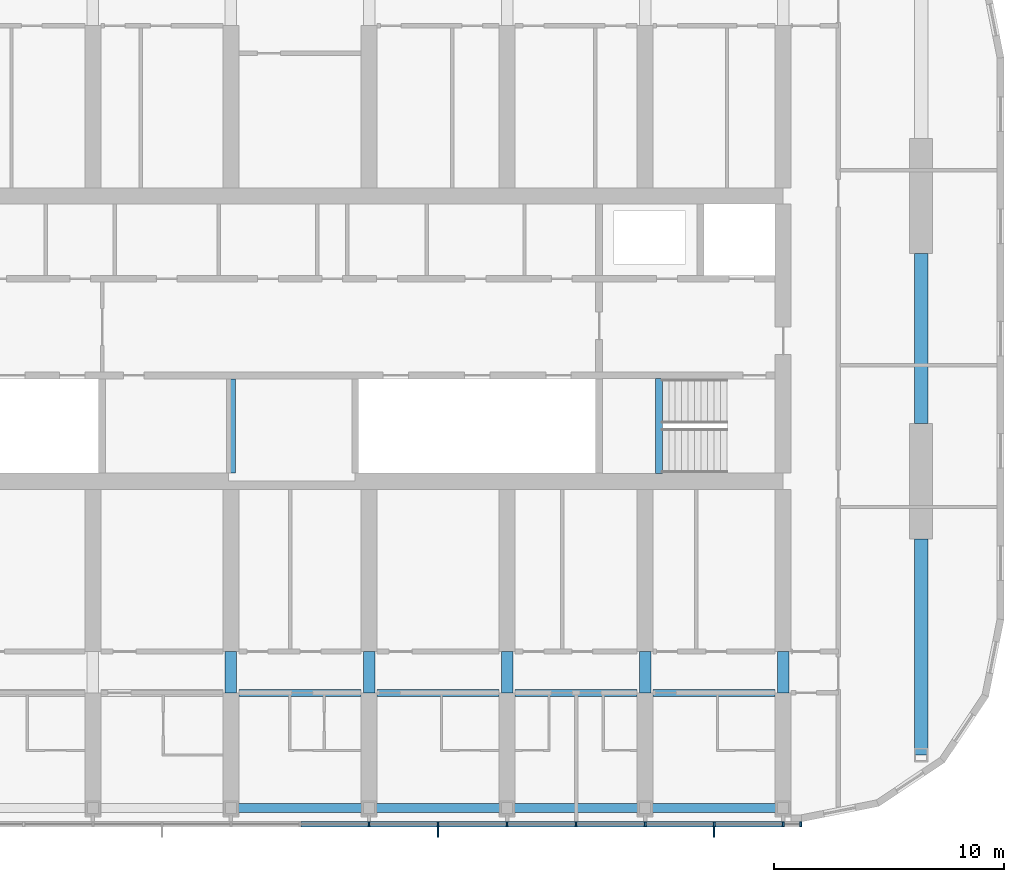
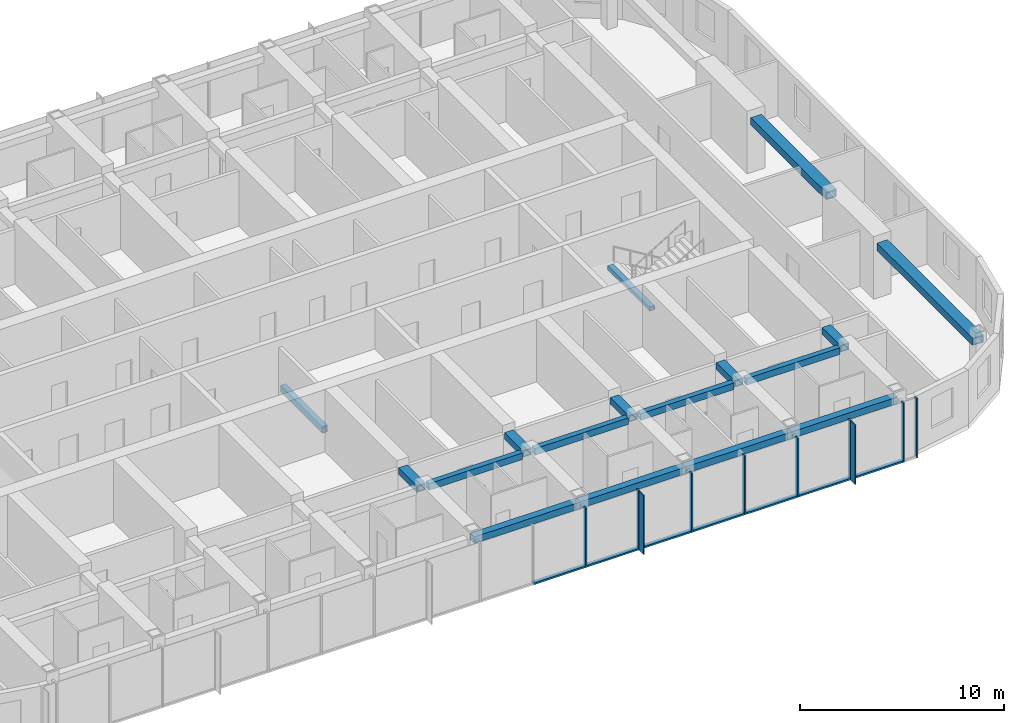
# One storey, part 3 of 23: 17 beams, 17 members, 1 element without a shape of its own.
"""IFC4 building model written with IfcOpenShell, lengths in metres."""

from ifc_helpers import new_model, si_unit, direction, frame, origin, origin_2d, place, context, subcontext, project, spatial, rectangle, hollow_rectangle, extrude, material, material_profile, profile_set, type_object, element, aggregate, save


model = new_model("IFC4")

# Units and contexts
model_context = context("Model", 3, precision=1e-05, world=origin(), true_north=direction((0.0, 1.0)))
body_context = subcontext(model_context, "Body", "Model", "MODEL_VIEW")
ifc_project = project(units=[si_unit("LENGTHUNIT", "METRE"), si_unit("AREAUNIT", "SQUARE_METRE"), si_unit("VOLUMEUNIT", "CUBIC_METRE"), si_unit("PLANEANGLEUNIT", "RADIAN"), si_unit("MASSUNIT", "GRAM", prefix="KILO")], contexts=[model_context])

# Site, building, storey
site_placement = place(None, origin())
site = spatial("IfcSite", under=ifc_project, at=site_placement, CompositionType="ELEMENT")
building_placement = place(site_placement, origin())
building = spatial("IfcBuilding", under=site, at=building_placement, Name="Orbita Commons", CompositionType="ELEMENT")
storey_placement = place(building_placement, frame((0.0, 0.0, 212.800048828125)))
storey = spatial("IfcBuildingStorey", under=building, at=storey_placement, Name="L52", CompositionType="ELEMENT", Elevation=212.800048828125)

# Curtain wall, members
ifc_material_1 = material(Name="Anodised aluminium frame, pale silver", Category="aluminium")
curtain_wall_type = type_object("IfcCurtainWallType", Name="Unitised curtain wall CW-U, full-height vision", PredefinedType="NOTDEFINED", material=ifc_material_1)
curtain_wall_placement = place(storey_placement, origin())
curtain_wall = element("IfcCurtainWall", 1, at=curtain_wall_placement, inside=storey, type_object=curtain_wall_type, Name="Curtain wall south L52", PredefinedType="NOTDEFINED")
ifc_material_2 = material(Name="Anodised aluminium, pale silver", Category="aluminium")
ifc_material_profile_1 = material_profile(ifc_material_2, rectangle(XDim=0.080078125, YDim=0.219970703125, at=origin_2d()), Name="AL 80x220")
ifc_profile_set_1 = profile_set([ifc_material_profile_1], Name="Anodised aluminium, pale silver")
member_type_1 = type_object("IfcMemberType", Name="Curtain wall mullion 80x220", PredefinedType="MULLION", material=ifc_profile_set_1)
member_1_placement = place(storey_placement, frame((48.0, 10.889892578125, -0.25), z_axis=(0.0, 0.0, 1.0), x_axis=(1.0, 0.0, 0.0)))
member_1 = element("IfcMember", 2, at=member_1_placement, type_object=member_type_1, Name="Mullion 12 CW-L52-S", PredefinedType="MULLION", context=body_context, shape_type="SweptSolid", body=[
    extrude(rectangle(XDim=0.080078125, YDim=0.219970703125, at=origin_2d()), origin(), (0.0, 0.0, 1.0), 3.550048828125),
])
member_2_placement = place(storey_placement, frame((51.0, 10.889892578125, -0.25), z_axis=(0.0, 0.0, 1.0), x_axis=(1.0, 0.0, 0.0)))
member_2 = element("IfcMember", 3, at=member_2_placement, type_object=member_type_1, Name="Mullion 13 CW-L52-S", PredefinedType="MULLION", context=body_context, shape_type="SweptSolid", body=[
    extrude(rectangle(XDim=0.080078125, YDim=0.219970703125, at=origin_2d()), origin(), (0.0, 0.0, 1.0), 3.550048828125),
])
member_3_placement = place(storey_placement, frame((54.0, 10.889892578125, -0.25), z_axis=(0.0, 0.0, 1.0), x_axis=(1.0, 0.0, 0.0)))
member_3 = element("IfcMember", 4, at=member_3_placement, type_object=member_type_1, Name="Mullion 14 CW-L52-S", PredefinedType="MULLION", context=body_context, shape_type="SweptSolid", body=[
    extrude(rectangle(XDim=0.080078125, YDim=0.219970703125, at=origin_2d()), origin(), (0.0, 0.0, 1.0), 3.550048828125),
])
member_4_placement = place(storey_placement, frame((57.0, 10.889892578125, -0.25), z_axis=(0.0, 0.0, 1.0), x_axis=(1.0, 0.0, 0.0)))
member_4 = element("IfcMember", 5, at=member_4_placement, type_object=member_type_1, Name="Mullion 15 CW-L52-S", PredefinedType="MULLION", context=body_context, shape_type="SweptSolid", body=[
    extrude(rectangle(XDim=0.080078125, YDim=0.219970703125, at=origin_2d()), origin(), (0.0, 0.0, 1.0), 3.550048828125),
])
member_5_placement = place(storey_placement, frame((60.0, 10.889892578125, -0.25), z_axis=(0.0, 0.0, 1.0), x_axis=(1.0, 0.0, 0.0)))
member_5 = element("IfcMember", 6, at=member_5_placement, type_object=member_type_1, Name="Mullion 16 CW-L52-S", PredefinedType="MULLION", context=body_context, shape_type="SweptSolid", body=[
    extrude(rectangle(XDim=0.080078125, YDim=0.219970703125, at=origin_2d()), origin(), (0.0, 0.0, 1.0), 3.550048828125),
])
member_6_placement = place(storey_placement, frame((63.0, 10.889892578125, -0.25), z_axis=(0.0, 0.0, 1.0), x_axis=(1.0, 0.0, 0.0)))
member_6 = element("IfcMember", 7, at=member_6_placement, type_object=member_type_1, Name="Mullion 17 CW-L52-S", PredefinedType="MULLION", context=body_context, shape_type="SweptSolid", body=[
    extrude(rectangle(XDim=0.080078125, YDim=0.219970703125, at=origin_2d()), origin(), (0.0, 0.0, 1.0), 3.550048828125),
])
member_7_placement = place(storey_placement, frame((66.0, 10.889892578125, -0.25), z_axis=(0.0, 0.0, 1.0), x_axis=(1.0, 0.0, 0.0)))
member_7 = element("IfcMember", 8, at=member_7_placement, type_object=member_type_1, Name="Mullion 18 CW-L52-S", PredefinedType="MULLION", context=body_context, shape_type="SweptSolid", body=[
    extrude(rectangle(XDim=0.080078125, YDim=0.219970703125, at=origin_2d()), origin(), (0.0, 0.0, 1.0), 3.550048828125),
])
member_8_placement = place(storey_placement, frame((66.760009765625, 10.889892578125, -0.25), z_axis=(0.0, 0.0, 1.0), x_axis=(1.0, 0.0, 0.0)))
member_8 = element("IfcMember", 9, at=member_8_placement, type_object=member_type_1, Name="Mullion 19 CW-L52-S", PredefinedType="MULLION", context=body_context, shape_type="SweptSolid", body=[
    extrude(rectangle(XDim=0.080078125, YDim=0.219970703125, at=origin_2d()), origin(), (0.0, 0.0, 1.0), 3.550048828125),
])
ifc_material_3 = material(Name="Anodised aluminium, pale silver", Category="aluminium")
ifc_material_profile_2 = material_profile(ifc_material_3, rectangle(XDim=0.219970703125, YDim=0.10009765625, at=origin_2d()), Name="AL 220x100")
ifc_profile_set_2 = profile_set([ifc_material_profile_2], Name="Anodised aluminium, pale silver")
member_type_2 = type_object("IfcMemberType", Name="Curtain wall stack transom 220x100", PredefinedType="USERDEFINED", material=ifc_profile_set_2)
member_9_placement = place(storey_placement, frame((45.0400390625, 10.889892578125, -0.199951171875), z_axis=(1.0, 0.0, 0.0), x_axis=(0.0, 1.0, 0.0)))
member_9 = element("IfcMember", 10, at=member_9_placement, type_object=member_type_2, Name="Transom 11.1 CW-L52-S", ObjectType="TRANSOM", PredefinedType="USERDEFINED", context=body_context, shape_type="SweptSolid", body=[
    extrude(rectangle(XDim=0.219970703125, YDim=0.10009765625, at=origin_2d()), origin(), (0.0, 0.0, 1.0), 2.919921875),
])
member_10_placement = place(storey_placement, frame((48.0400390625, 10.889892578125, -0.199951171875), z_axis=(1.0, 0.0, 0.0), x_axis=(0.0, 1.0, 0.0)))
member_10 = element("IfcMember", 11, at=member_10_placement, type_object=member_type_2, Name="Transom 12.1 CW-L52-S", ObjectType="TRANSOM", PredefinedType="USERDEFINED", context=body_context, shape_type="SweptSolid", body=[
    extrude(rectangle(XDim=0.219970703125, YDim=0.10009765625, at=origin_2d()), origin(), (0.0, 0.0, 1.0), 2.919921875),
])
member_11_placement = place(storey_placement, frame((51.0400390625, 10.889892578125, -0.199951171875), z_axis=(1.0, 0.0, 0.0), x_axis=(0.0, 1.0, 0.0)))
member_11 = element("IfcMember", 12, at=member_11_placement, type_object=member_type_2, Name="Transom 13.1 CW-L52-S", ObjectType="TRANSOM", PredefinedType="USERDEFINED", context=body_context, shape_type="SweptSolid", body=[
    extrude(rectangle(XDim=0.219970703125, YDim=0.10009765625, at=origin_2d()), origin(), (0.0, 0.0, 1.0), 2.919921875),
])
member_12_placement = place(storey_placement, frame((54.0400390625, 10.889892578125, -0.199951171875), z_axis=(1.0, 0.0, 0.0), x_axis=(0.0, 1.0, 0.0)))
member_12 = element("IfcMember", 13, at=member_12_placement, type_object=member_type_2, Name="Transom 14.1 CW-L52-S", ObjectType="TRANSOM", PredefinedType="USERDEFINED", context=body_context, shape_type="SweptSolid", body=[
    extrude(rectangle(XDim=0.219970703125, YDim=0.10009765625, at=origin_2d()), origin(), (0.0, 0.0, 1.0), 2.919921875),
])
member_13_placement = place(storey_placement, frame((57.0400390625, 10.889892578125, -0.199951171875), z_axis=(1.0, 0.0, 0.0), x_axis=(0.0, 1.0, 0.0)))
member_13 = element("IfcMember", 14, at=member_13_placement, type_object=member_type_2, Name="Transom 15.1 CW-L52-S", ObjectType="TRANSOM", PredefinedType="USERDEFINED", context=body_context, shape_type="SweptSolid", body=[
    extrude(rectangle(XDim=0.219970703125, YDim=0.10009765625, at=origin_2d()), origin(), (0.0, 0.0, 1.0), 2.919921875),
])
member_14_placement = place(storey_placement, frame((60.0400390625, 10.889892578125, -0.199951171875), z_axis=(1.0, 0.0, 0.0), x_axis=(0.0, 1.0, 0.0)))
member_14 = element("IfcMember", 15, at=member_14_placement, type_object=member_type_2, Name="Transom 16.1 CW-L52-S", ObjectType="TRANSOM", PredefinedType="USERDEFINED", context=body_context, shape_type="SweptSolid", body=[
    extrude(rectangle(XDim=0.219970703125, YDim=0.10009765625, at=origin_2d()), origin(), (0.0, 0.0, 1.0), 2.919921875),
])
member_15_placement = place(storey_placement, frame((63.0400390625, 10.889892578125, -0.199951171875), z_axis=(1.0, 0.0, 0.0), x_axis=(0.0, 1.0, 0.0)))
member_15 = element("IfcMember", 16, at=member_15_placement, type_object=member_type_2, Name="Transom 17.1 CW-L52-S", ObjectType="TRANSOM", PredefinedType="USERDEFINED", context=body_context, shape_type="SweptSolid", body=[
    extrude(rectangle(XDim=0.219970703125, YDim=0.10009765625, at=origin_2d()), origin(), (0.0, 0.0, 1.0), 2.919921875),
])

# Beams
ifc_material_4 = material(Name="Steel ASTM A572 Gr 50 welded plate", Category="steel")
ifc_material_profile_3 = material_profile(ifc_material_4, hollow_rectangle(XDim=0.300048828125, YDim=0.39990234375, WallThickness=0.0400390625, at=origin_2d()), Name="BOX 400x300x40")
ifc_profile_set_3 = profile_set([ifc_material_profile_3], Name="Steel ASTM A572 Gr 50 welded plate")
beam_type_1 = type_object("IfcBeamType", Name="Lift overrun beam steel BOX 400x300x40", PredefinedType="BEAM", material=ifc_profile_set_3)
beam_1_placement = place(storey_placement, frame((42.050048828125, 26.14990234375, 0.800048828125), z_axis=(0.0, 1.0, 0.0), x_axis=(-1.0, 0.0, 0.0)))
element("IfcBeam", 17, at=beam_1_placement, inside=storey, type_object=beam_type_1, Name="Lift overrun roof bank SH3 beam w", PredefinedType="BEAM", context=body_context, shape_type="SweptSolid", body=[
    extrude(hollow_rectangle(XDim=0.300048828125, YDim=0.39990234375, WallThickness=0.0400390625, at=origin_2d()), origin(), (0.0, 0.0, 1.0), 4.10009765625),
])
ifc_material_5 = material(Name="Steel ASTM A572 Gr 50 welded plate", Category="steel")
ifc_material_profile_4 = material_profile(ifc_material_5, hollow_rectangle(XDim=0.300048828125, YDim=0.25, WallThickness=0.02490234375, at=origin_2d()), Name="BOX 250x300x25")
ifc_profile_set_4 = profile_set([ifc_material_profile_4], Name="Steel ASTM A572 Gr 50 welded plate")
beam_type_2 = type_object("IfcBeamType", Name="Stair landing beam steel BOX 250x300x25", PredefinedType="BEAM", material=ifc_profile_set_4)
beam_2_placement = place(storey_placement, frame((60.60009765625, 26.135009765625, 1.550048828125), z_axis=(0.0, 1.0, 0.0), x_axis=(-1.0, 0.0, 0.0)))
element("IfcBeam", 18, at=beam_2_placement, inside=storey, type_object=beam_type_2, Name="Stair S2 landing beam L52 1", PredefinedType="BEAM", context=body_context, shape_type="SweptSolid", body=[
    extrude(hollow_rectangle(XDim=0.300048828125, YDim=0.25, WallThickness=0.02490234375, at=origin_2d()), origin(), (0.0, 0.0, 1.0), 4.1298828125),
])
ifc_material_6 = material(Name="Steel ASTM A572 Gr 50 welded plate", Category="steel")
ifc_material_profile_5 = material_profile(ifc_material_6, hollow_rectangle(XDim=0.300048828125, YDim=0.39990234375, WallThickness=0.0400390625, at=origin_2d()), Name="BOX 400x300x40")
ifc_profile_set_5 = profile_set([ifc_material_profile_5], Name="Steel ASTM A572 Gr 50 welded plate")
beam_type_3 = type_object("IfcBeamType", Name="Steel corridor link BOX 400x300x40", PredefinedType="BEAM", material=ifc_profile_set_5)
for number, where, z_axis, x_axis, name in (
    (19, (42.35009765625, 16.60009765625, 3.099853515625), (1.0, 0.0, 0.0), (0.0, 1.0, 0.0), "Corridor beam SA 8-9 L52"),
    (20, (48.35009765625, 16.60009765625, 3.099853515625), (1.0, 0.0, 0.0), (0.0, 1.0, 0.0), "Corridor beam SA 9-10 L52"),
    (21, (54.35009765625, 16.60009765625, 3.099853515625), (1.0, 0.0, 0.0), (0.0, 1.0, 0.0), "Corridor beam SA 10-11 L52"),
    (22, (60.35009765625, 16.60009765625, 3.099853515625), (1.0, 0.0, 0.0), (0.0, 1.0, 0.0), "Corridor beam SA 11-12 L52"),
):
    element("IfcBeam", number, at=place(storey_placement, frame(where, z_axis=z_axis, x_axis=x_axis)), inside=storey, type_object=beam_type_3, Name=name, PredefinedType="BEAM", context=body_context, shape_type="SweptSolid", body=[
        extrude(hollow_rectangle(XDim=0.300048828125, YDim=0.39990234375, WallThickness=0.0400390625, at=origin_2d()), origin(), (0.0, 0.0, 1.0), 5.2998046875),
    ])
ifc_material_7 = material(Name="Steel ASTM A572 Gr 50 welded plate", Category="steel")
ifc_material_profile_6 = material_profile(ifc_material_7, hollow_rectangle(XDim=0.5, YDim=0.39990234375, WallThickness=0.050048828125, at=origin_2d()), Name="BOX 400x500x50")
ifc_profile_set_6 = profile_set([ifc_material_profile_6], Name="Steel ASTM A572 Gr 50 welded plate")
beam_type_4 = type_object("IfcBeamType", Name="Steel coupling link BOX 400x500x50", PredefinedType="LINTEL", material=ifc_profile_set_6)
for number, where, z_axis, x_axis, name in (
    (23, (42.0, 16.60009765625, 3.099853515625), (0.0, 1.0, 0.0), (-1.0, 0.0, 0.0), "Coupling beam 8 south L52"),
    (24, (48.0, 16.60009765625, 3.099853515625), (0.0, 1.0, 0.0), (-1.0, 0.0, 0.0), "Coupling beam 9 south L52"),
    (25, (54.0, 16.60009765625, 3.099853515625), (0.0, 1.0, 0.0), (-1.0, 0.0, 0.0), "Coupling beam 10 south L52"),
    (26, (60.0, 16.60009765625, 3.099853515625), (0.0, 1.0, 0.0), (-1.0, 0.0, 0.0), "Coupling beam 11 south L52"),
    (27, (66.0, 16.60009765625, 3.099853515625), (0.0, 1.0, 0.0), (-1.0, 0.0, 0.0), "Coupling beam 12 south L52"),
):
    element("IfcBeam", number, at=place(storey_placement, frame(where, z_axis=z_axis, x_axis=x_axis)), inside=storey, type_object=beam_type_4, Name=name, PredefinedType="LINTEL", context=body_context, shape_type="SweptSolid", body=[
        extrude(hollow_rectangle(XDim=0.5, YDim=0.39990234375, WallThickness=0.050048828125, at=origin_2d()), origin(), (0.0, 0.0, 1.0), 1.7998046875),
    ])
ifc_material_8 = material(Name="Steel ASTM A572 Gr 50 welded plate", Category="steel")
ifc_material_profile_7 = material_profile(ifc_material_8, hollow_rectangle(XDim=0.60009765625, YDim=0.449951171875, WallThickness=0.06005859375, at=origin_2d()), Name="BOX 450x600x60")
ifc_profile_set_7 = profile_set([ifc_material_profile_7], Name="Steel ASTM A572 Gr 50 welded plate")
beam_type_5 = type_object("IfcBeamType", Name="Steel end frame link BOX 450x600x60", PredefinedType="BEAM", material=ifc_profile_set_7)
beam_3_placement = place(storey_placement, frame((72.0, 13.89990234375, 3.074951171875), z_axis=(0.0, 1.0, 0.0), x_axis=(-1.0, 0.0, 0.0)))
element("IfcBeam", 28, at=beam_3_placement, inside=storey, type_object=beam_type_5, Name="End frame beam 13 B-C L52", PredefinedType="BEAM", context=body_context, shape_type="SweptSolid", body=[
    extrude(hollow_rectangle(XDim=0.60009765625, YDim=0.449951171875, WallThickness=0.06005859375, at=origin_2d()), origin(), (0.0, 0.0, 1.0), 9.400146484375),
])
beam_4_placement = place(storey_placement, frame((72.0, 28.300048828125, 3.074951171875), z_axis=(0.0, 1.0, 0.0), x_axis=(-1.0, 0.0, 0.0)))
element("IfcBeam", 29, at=beam_4_placement, inside=storey, type_object=beam_type_5, Name="End frame beam 13 C-D L52", PredefinedType="BEAM", context=body_context, shape_type="SweptSolid", body=[
    extrude(hollow_rectangle(XDim=0.60009765625, YDim=0.449951171875, WallThickness=0.06005859375, at=origin_2d()), origin(), (0.0, 0.0, 1.0), 7.39990234375),
])
ifc_material_9 = material(Name="Steel ASTM A572 Gr 50 welded plate", Category="steel")
ifc_material_profile_8 = material_profile(ifc_material_9, hollow_rectangle(XDim=0.39990234375, YDim=0.39990234375, WallThickness=0.0400390625, at=origin_2d()), Name="BOX 400x400x40")
ifc_profile_set_8 = profile_set([ifc_material_profile_8], Name="Steel ASTM A572 Gr 50 welded plate")
beam_type_6 = type_object("IfcBeamType", Name="Steel spandrel BOX 400x400x40", PredefinedType="SPANDREL", material=ifc_profile_set_8)
for number, where, z_axis, x_axis, name in (
    (30, (42.0, 11.60009765625, 3.099853515625), (1.0, 0.0, 0.0), (0.0, 1.0, 0.0), "Spandrel beam B 8-9 L52"),
    (31, (48.0, 11.60009765625, 3.099853515625), (1.0, 0.0, 0.0), (0.0, 1.0, 0.0), "Spandrel beam B 9-10 L52"),
    (32, (54.0, 11.60009765625, 3.099853515625), (1.0, 0.0, 0.0), (0.0, 1.0, 0.0), "Spandrel beam B 10-11 L52"),
    (33, (60.0, 11.60009765625, 3.099853515625), (1.0, 0.0, 0.0), (0.0, 1.0, 0.0), "Spandrel beam B 11-12 L52"),
):
    element("IfcBeam", number, at=place(storey_placement, frame(where, z_axis=z_axis, x_axis=x_axis)), inside=storey, type_object=beam_type_6, Name=name, PredefinedType="SPANDREL", context=body_context, shape_type="SweptSolid", body=[
        extrude(hollow_rectangle(XDim=0.39990234375, YDim=0.39990234375, WallThickness=0.0400390625, at=origin_2d()), origin(), (0.0, 0.0, 1.0), 6.0),
    ])

# Member
ifc_material_10 = material(Name="Anodised aluminium, pale silver", Category="aluminium")
ifc_material_profile_9 = material_profile(ifc_material_10, rectangle(XDim=0.06005859375, YDim=0.449951171875, at=origin_2d()), Name="FIN 60x450")
ifc_profile_set_9 = profile_set([ifc_material_profile_9], Name="Anodised aluminium, pale silver")
member_type_3 = type_object("IfcMemberType", Name="Vertical fin 60x450 pale aluminium", PredefinedType="USERDEFINED", material=ifc_profile_set_9)
member_16_placement = place(storey_placement, frame((51.0, 10.554931640625, -0.25), z_axis=(0.0, 0.0, 1.0), x_axis=(1.0, 0.0, 0.0)))
member_16 = element("IfcMember", 34, at=member_16_placement, type_object=member_type_3, Name="Fin 13 CW-L52-S", ObjectType="FIN", PredefinedType="USERDEFINED", context=body_context, shape_type="SweptSolid", body=[
    extrude(rectangle(XDim=0.06005859375, YDim=0.449951171875, at=origin_2d()), origin(), (0.0, 0.0, 1.0), 3.550048828125),
])

member_17_placement = place(storey_placement, frame((63.0, 10.554931640625, -0.25), z_axis=(0.0, 0.0, 1.0), x_axis=(1.0, 0.0, 0.0)))
member_17 = element("IfcMember", 35, at=member_17_placement, type_object=member_type_3, Name="Fin 17 CW-L52-S", ObjectType="FIN", PredefinedType="USERDEFINED", context=body_context, shape_type="SweptSolid", body=[
    extrude(rectangle(XDim=0.06005859375, YDim=0.449951171875, at=origin_2d()), origin(), (0.0, 0.0, 1.0), 3.550048828125),
])

aggregate(curtain_wall, [member_1, member_2, member_16, member_3, member_4, member_5, member_6, member_17, member_7, member_8, member_9, member_10, member_11, member_12, member_13, member_14, member_15])

save(model, "model.ifc")
